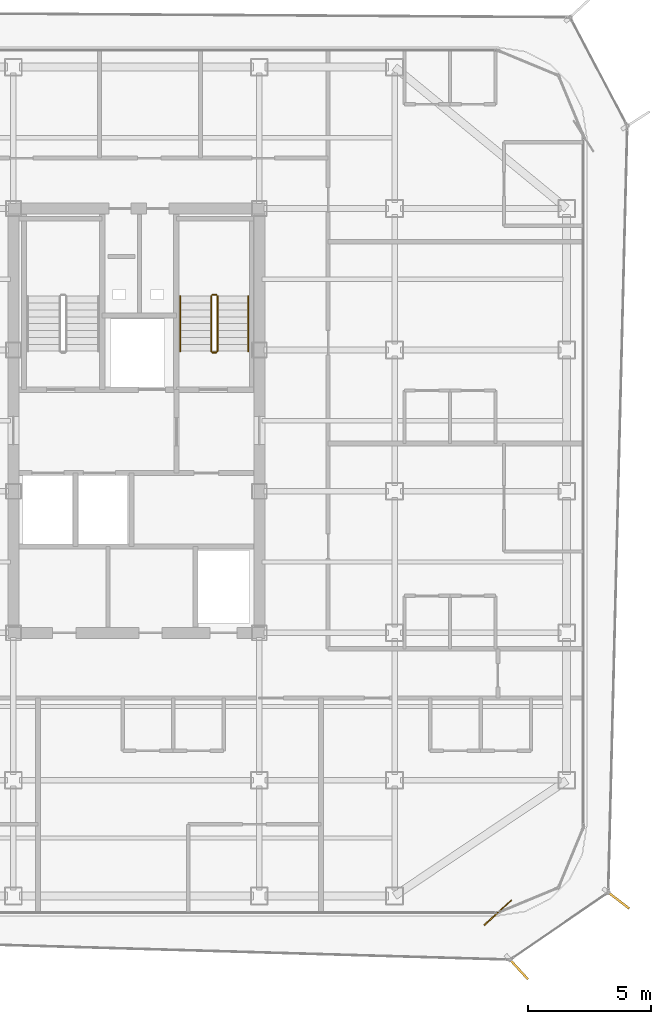
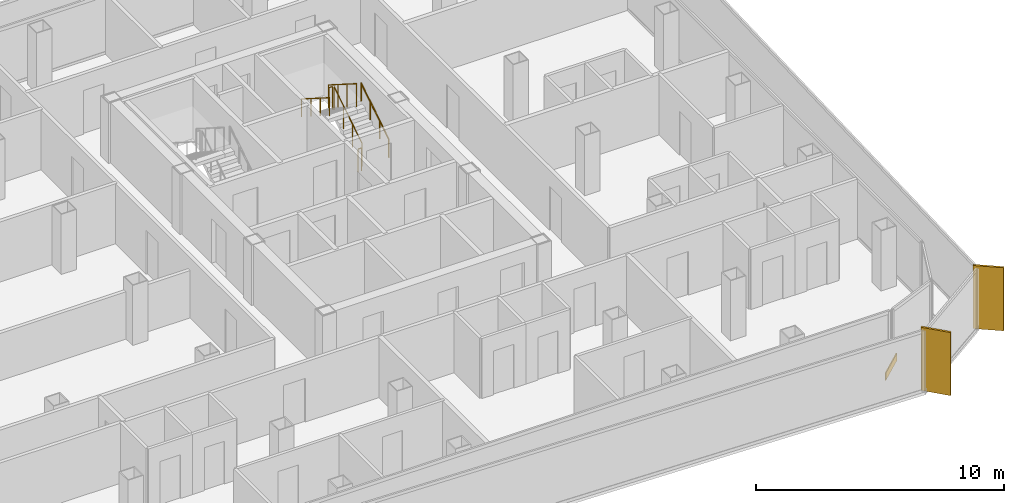
# One storey, part 14 of 15: 6 railings, 2 shading devices, 1 covering.
"""IFC4 building model written with IfcOpenShell, lengths in metres."""

from ifc_helpers import new_model, si_unit, direction, frame, origin, origin_2d, place, context, subcontext, project, spatial, rectangle, circle, extrude, source, transform, mapped, material, layer, layer_set, type_object, element, save


model = new_model("IFC4")

# Units and contexts
model_context = context("Model", 3, precision=1e-05, world=origin(), true_north=direction((0.0, 1.0)))
body_context = subcontext(model_context, "Body", "Model", "MODEL_VIEW")
ifc_project = project(units=[si_unit("LENGTHUNIT", "METRE"), si_unit("AREAUNIT", "SQUARE_METRE"), si_unit("VOLUMEUNIT", "CUBIC_METRE"), si_unit("PLANEANGLEUNIT", "RADIAN"), si_unit("MASSUNIT", "GRAM", prefix="KILO")], contexts=[model_context])

# Site, building, storey
site_placement = place(None, origin())
site = spatial("IfcSite", under=ifc_project, at=site_placement, CompositionType="ELEMENT")
building_placement = place(site_placement, origin())
building = spatial("IfcBuilding", under=site, at=building_placement, Name="Kolveth Station Tower", CompositionType="ELEMENT")
storey_placement = place(building_placement, frame((0.0, 0.0, 202.800048828125)))
storey = spatial("IfcBuildingStorey", under=building, at=storey_placement, Name="L57", CompositionType="ELEMENT", Elevation=202.800048828125)

# Railings
ifc_material_1 = material(Name="Painted Steel S355 balustrade", Category="steel")
railing_type_1 = type_object("IfcRailingType", Name="Guard_GR2", PredefinedType="BALUSTRADE", material=ifc_material_1)
railing_1_placement = place(storey_placement, frame((26.800048828125, 22.949951171875, 0.177734375)))
element("IfcRailing", 1, at=railing_1_placement, inside=storey, type_object=railing_type_1, Name="L57 ST2 stair guard 1", PredefinedType="BALUSTRADE", context=body_context, shape_type="SweptSolid", body=[
    extrude(circle(Radius=0.02392578125, at=origin_2d()), frame((0.0, 0.0, 1.1259765625), z_axis=(0.0, 0.8442293374, 0.53598211339), x_axis=(-1.0, 0.0, 0.0)), (0.0, 0.0, 1.0), 2.6533203125),
    extrude(circle(Radius=0.02099609375, at=origin_2d()), origin(), (0.0, 0.0, 1.0), 1.101806640625),
    extrude(circle(Radius=0.02099609375, at=origin_2d()), frame((0.0, 0.74658203125, 0.47412109375)), (0.0, 0.0, 1.0), 1.101806640625),
    extrude(circle(Radius=0.02099609375, at=origin_2d()), frame((0.0, 1.493408203125, 0.947998046875)), (0.0, 0.0, 1.0), 1.101806640625),
    extrude(circle(Radius=0.02099609375, at=origin_2d()), frame((0.0, 2.239990234375, 1.422119140625)), (0.0, 0.0, 1.0), 1.101806640625),
])
railing_2_placement = place(storey_placement, frame((26.75, 25.239990234375, 1.599853515625)))
element("IfcRailing", 2, at=railing_2_placement, inside=storey, type_object=railing_type_1, Name="L57 ST2 stair guard 2", PredefinedType="BALUSTRADE", context=body_context, shape_type="SweptSolid", body=[
    extrude(circle(Radius=0.02392578125, at=origin_2d()), frame((0.0, 0.0, 1.1259765625), z_axis=(-1.0, 0.0, 0.0), x_axis=(0.0, -1.0, 0.0)), (0.0, 0.0, 1.0), 0.159912109375),
    extrude(circle(Radius=0.02099609375, at=origin_2d()), origin(), (0.0, 0.0, 1.0), 1.101806640625),
    extrude(circle(Radius=0.02099609375, at=origin_2d()), frame((-0.159912109375, 0.0, 0.0)), (0.0, 0.0, 1.0), 1.101806640625),
])
railing_3_placement = place(storey_placement, frame((26.5400390625, 25.18994140625, 1.77783203125)))
element("IfcRailing", 3, at=railing_3_placement, inside=storey, type_object=railing_type_1, Name="L57 ST2 stair guard 3", PredefinedType="BALUSTRADE", context=body_context, shape_type="SweptSolid", body=[
    extrude(circle(Radius=0.02392578125, at=origin_2d()), frame((0.0, 0.0, 1.1259765625), z_axis=(0.0, -0.8442293374, 0.53598211339), x_axis=(1.0, 0.0, 0.0)), (0.0, 0.0, 1.0), 2.6533203125),
    extrude(circle(Radius=0.02099609375, at=origin_2d()), origin(), (0.0, 0.0, 1.0), 1.101806640625),
    extrude(circle(Radius=0.02099609375, at=origin_2d()), frame((0.0, -0.74658203125, 0.47412109375)), (0.0, 0.0, 1.0), 1.101806640625),
    extrude(circle(Radius=0.02099609375, at=origin_2d()), frame((0.0, -1.493408203125, 0.947998046875)), (0.0, 0.0, 1.0), 1.101806640625),
    extrude(circle(Radius=0.02099609375, at=origin_2d()), frame((0.0, -2.239990234375, 1.422119140625)), (0.0, 0.0, 1.0), 1.101806640625),
])
railing_4_placement = place(storey_placement, frame((26.75, 22.89990234375, 0.0)))
element("IfcRailing", 4, at=railing_4_placement, inside=storey, type_object=railing_type_1, Name="L57 ST2 stair guard 4", PredefinedType="BALUSTRADE", context=body_context, shape_type="SweptSolid", body=[
    extrude(circle(Radius=0.02392578125, at=origin_2d()), frame((0.0, 0.0, 1.1259765625), z_axis=(-1.0, 0.0, 0.0), x_axis=(0.0, -1.0, 0.0)), (0.0, 0.0, 1.0), 0.159912109375),
    extrude(circle(Radius=0.02099609375, at=origin_2d()), origin(), (0.0, 0.0, 1.0), 1.101806640625),
    extrude(circle(Radius=0.02099609375, at=origin_2d()), frame((-0.159912109375, 0.0, 0.0)), (0.0, 0.0, 1.0), 1.101806640625),
])
ifc_material_2 = material(Name="Brushed stainless steel", Category="steel")
railing_type_2 = type_object("IfcRailingType", Name="Handrail_HR1", PredefinedType="HANDRAIL", material=ifc_material_2)
railing_5_placement = place(storey_placement, frame((28.050048828125, 22.949951171875, 0.177734375)))
element("IfcRailing", 5, at=railing_5_placement, inside=storey, type_object=railing_type_2, Name="L57 ST2 stair handrail 1", PredefinedType="HANDRAIL", context=body_context, shape_type="SweptSolid", body=[
    extrude(circle(Radius=0.02392578125, at=origin_2d()), frame((0.0, 0.0, 0.8759765625), z_axis=(0.0, 0.8442293374, 0.53598211339), x_axis=(-1.0, 0.0, 0.0)), (0.0, 0.0, 1.0), 2.6533203125),
    extrude(circle(Radius=0.02099609375, at=origin_2d()), origin(), (0.0, 0.0, 1.0), 0.851806640625),
    extrude(circle(Radius=0.02099609375, at=origin_2d()), frame((0.0, 0.74658203125, 0.47412109375)), (0.0, 0.0, 1.0), 0.851806640625),
    extrude(circle(Radius=0.02099609375, at=origin_2d()), frame((0.0, 1.493408203125, 0.947998046875)), (0.0, 0.0, 1.0), 0.851806640625),
    extrude(circle(Radius=0.02099609375, at=origin_2d()), frame((0.0, 2.239990234375, 1.422119140625)), (0.0, 0.0, 1.0), 0.851806640625),
])
railing_6_placement = place(storey_placement, frame((25.2900390625, 25.18994140625, 1.77783203125)))
element("IfcRailing", 6, at=railing_6_placement, inside=storey, type_object=railing_type_2, Name="L57 ST2 stair handrail 2", PredefinedType="HANDRAIL", context=body_context, shape_type="SweptSolid", body=[
    extrude(circle(Radius=0.02392578125, at=origin_2d()), frame((0.0, 0.0, 0.8759765625), z_axis=(0.0, -0.8442293374, 0.53598211339), x_axis=(1.0, 0.0, 0.0)), (0.0, 0.0, 1.0), 2.6533203125),
    extrude(circle(Radius=0.02099609375, at=origin_2d()), origin(), (0.0, 0.0, 1.0), 0.851806640625),
    extrude(circle(Radius=0.02099609375, at=origin_2d()), frame((0.0, -0.74658203125, 0.47412109375)), (0.0, 0.0, 1.0), 0.851806640625),
    extrude(circle(Radius=0.02099609375, at=origin_2d()), frame((0.0, -1.493408203125, 0.947998046875)), (0.0, 0.0, 1.0), 0.851806640625),
    extrude(circle(Radius=0.02099609375, at=origin_2d()), frame((0.0, -2.239990234375, 1.422119140625)), (0.0, 0.0, 1.0), 0.851806640625),
])

# Shading devices
ifc_material_3 = material(Name="Black anodized aluminium 6063-T6", Category="aluminium")
shading_device_type = type_object("IfcShadingDeviceType", Name="FIN_VF1", PredefinedType="USERDEFINED", material=ifc_material_3)
shared_shape_1 = source(origin(), body_context, "Body", "SweptSolid", [
    extrude(rectangle(XDim=1.25, YDim=0.090087890625, at=origin_2d()), origin(), (0.0, 0.0, 1.0), 3.10009765625),
])
for number, where, z_axis, x_axis, name in (
    (7, (39.0, -2.126953125, 0.0), (0.0, 0.0, 1.0), (0.675204077514, -0.737630973935, 0.0), "L57 Dark-Aluminium Solar Fin 1"),
    (8, (43.048095703125, 0.666015625, 0.0), (0.0, 0.0, 1.0), (0.793565789779, -0.608484459368, 0.0), "L57 Dark-Aluminium Solar Fin 2"),
):
    element("IfcShadingDevice", number, at=place(storey_placement, frame(where, z_axis=z_axis, x_axis=x_axis)), inside=storey, type_object=shading_device_type, Name=name, ObjectType="FIN", PredefinedType="USERDEFINED", context=body_context, shape_type="MappedRepresentation", body=[
        mapped(shared_shape_1, transform((0.0, 0.0, 0.0), x_axis=(1.0, 0.0, 0.0), y_axis=(0.0, 1.0, 0.0), z_axis=(0.0, 0.0, 1.0), scale=1.0)),
    ])

# Covering
ifc_material_4 = material(Name="Charcoal anodized aluminium spandrel cladding", Category="aluminium")
ifc_layer = layer(ifc_material_4, 0.044921875)
ifc_layer_set = layer_set([ifc_layer], Name="Charcoal anodized aluminium spandrel cladding")
covering_type = type_object("IfcCoveringType", Name="Clad_CD1", PredefinedType="CLADDING", material=ifc_layer_set)
shared_shape_2 = source(origin(), body_context, "Body", "SweptSolid", [
    extrude(rectangle(XDim=1.5, YDim=0.044921875, at=origin_2d()), origin(), (0.0, 0.0, 1.0), 0.360107421875),
])
covering_placement = place(storey_placement, frame((38.199951171875, 0.1201171875, 0.0), z_axis=(0.0, 0.0, 1.0), x_axis=(0.737630973935, 0.675204077514, 0.0)))
element("IfcCovering", 9, at=covering_placement, inside=storey, type_object=covering_type, Name="L57 Spandrel Edge Cladding 1", PredefinedType="CLADDING", context=body_context, shape_type="MappedRepresentation", body=[
    mapped(shared_shape_2, transform((0.0, 0.0, 0.0), x_axis=(1.0, 0.0, 0.0), y_axis=(0.0, 1.0, 0.0), z_axis=(0.0, 0.0, 1.0), scale=1.0)),
])

save(model, "model.ifc")
